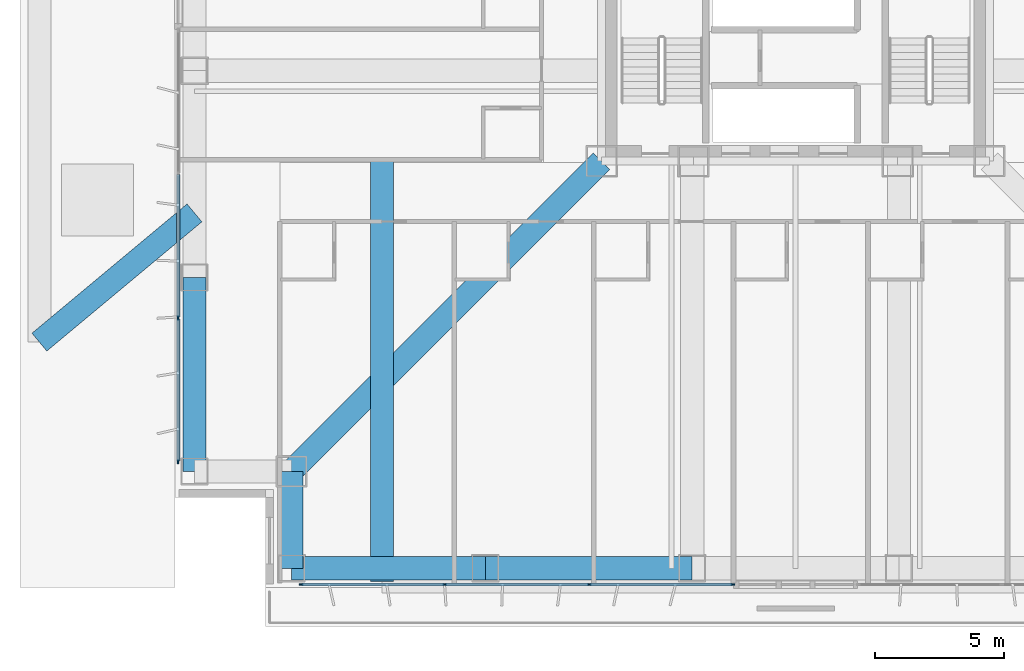
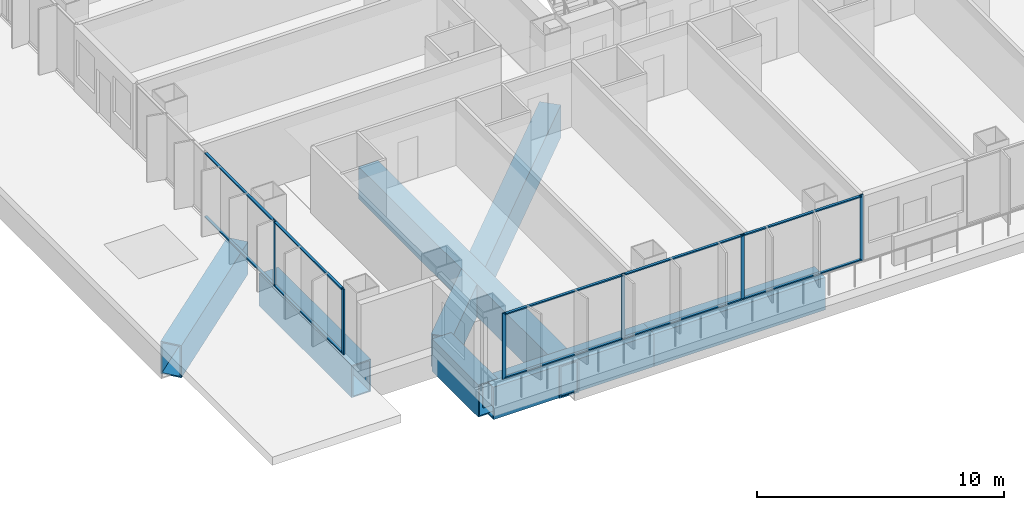
# One storey, part 2 of 24: 16 members, 7 beams, 2 elements without a shape of their own.
"""IFC4 building model written with IfcOpenShell, lengths in metres."""

from ifc_helpers import new_model, si_unit, direction, frame, origin, origin_2d, place, context, subcontext, project, spatial, rectangle, hollow_rectangle, extrude, material, layer, layer_set, material_profile, profile_set, type_object, element, aggregate, save


model = new_model("IFC4")

# Units and contexts
model_context = context("Model", 3, precision=1e-05, world=origin(), true_north=direction((0.0, 1.0)))
body_context = subcontext(model_context, "Body", "Model", "MODEL_VIEW")
ifc_project = project(units=[si_unit("LENGTHUNIT", "METRE"), si_unit("AREAUNIT", "SQUARE_METRE"), si_unit("VOLUMEUNIT", "CUBIC_METRE"), si_unit("PLANEANGLEUNIT", "RADIAN"), si_unit("MASSUNIT", "GRAM", prefix="KILO")], contexts=[model_context])

# Site, building, storey
site_placement = place(None, origin())
site = spatial("IfcSite", under=ifc_project, at=site_placement, CompositionType="ELEMENT")
building_placement = place(site_placement, origin())
building = spatial("IfcBuilding", under=site, at=building_placement, Name="Trevonay Congress Spire", CompositionType="ELEMENT")
storey_placement = place(building_placement, frame((0.0, 0.0, 27.0)))
storey = spatial("IfcBuildingStorey", under=building, at=storey_placement, Name="L05", CompositionType="ELEMENT", Elevation=27.0)

# Beams
ifc_material_1 = material(Name="Steel ASTM A572 Grade 50", Category="steel")
ifc_material_profile_1 = material_profile(ifc_material_1, hollow_rectangle(XDim=0.89990234375, YDim=1.60009765625, WallThickness=0.06005859375, at=origin_2d()), Name="BOX 1600x900x60")
ifc_profile_set_1 = profile_set([ifc_material_profile_1], Name="Steel ASTM A572 Grade 50")
beam_type_1 = type_object("IfcBeamType", Name="BM-RING-BOX1600", PredefinedType="BEAM", material=ifc_profile_set_1)
for number, where, z_axis, x_axis, name in (
    (1, (-19.5, -23.25, -1.199951171875), (1.0, 0.0, 0.0), (0.0, 1.0, 0.0), "L05 structural beam BM-L05-PS1"),
    (2, (-23.25, -19.5, -1.199951171875), (0.0, 1.0, 0.0), (-1.0, 0.0, 0.0), "L05 structural beam BM-L05-PW1"),
):
    element("IfcBeam", number, at=place(storey_placement, frame(where, z_axis=z_axis, x_axis=x_axis)), inside=storey, type_object=beam_type_1, Name=name, PredefinedType="BEAM", context=body_context, shape_type="SweptSolid", body=[
        extrude(hollow_rectangle(XDim=0.89990234375, YDim=1.60009765625, WallThickness=0.06005859375, at=origin_2d()), origin(), (0.0, 0.0, 1.0), 7.5),
    ])
beam_1_placement = place(storey_placement, frame((-12.0, -23.25, -1.199951171875), z_axis=(1.0, 0.0, 0.0), x_axis=(0.0, 1.0, 0.0)))
element("IfcBeam", 3, at=beam_1_placement, inside=storey, type_object=beam_type_1, Name="L05 structural beam BM-L05-PS2", PredefinedType="BEAM", context=body_context, shape_type="SweptSolid", body=[
    extrude(hollow_rectangle(XDim=0.89990234375, YDim=1.60009765625, WallThickness=0.06005859375, at=origin_2d()), origin(), (0.0, 0.0, 1.0), 8.0),
])
beam_2_placement = place(storey_placement, frame((-19.5, -23.25, -1.199951171875), z_axis=(0.0, 1.0, 0.0), x_axis=(-1.0, 0.0, 0.0)))
element("IfcBeam", 4, at=beam_2_placement, inside=storey, type_object=beam_type_1, Name="L05 structural beam BM-L05-N1SW", PredefinedType="BEAM", context=body_context, shape_type="SweptSolid", body=[
    extrude(hollow_rectangle(XDim=0.89990234375, YDim=1.60009765625, WallThickness=0.06005859375, at=origin_2d()), origin(), (0.0, 0.0, 1.0), 3.75),
])
ifc_material_profile_2 = material_profile(ifc_material_1, hollow_rectangle(XDim=0.89990234375, YDim=1.60009765625, WallThickness=0.06005859375, at=origin_2d()), Name="BOX 1600x900x60")
ifc_profile_set_2 = profile_set([ifc_material_profile_2], Name="Steel ASTM A572 Grade 50")
beam_type_2 = type_object("IfcBeamType", Name="BM-XFER-BOX1600", PredefinedType="BEAM", material=ifc_profile_set_2)
beam_3_placement = place(storey_placement, frame((-23.25, -9.5, -1.199951171875), z_axis=(-0.768221279597, -0.640184399664, 0.0), x_axis=(0.640184399664, -0.768221279597, 0.0)))
element("IfcBeam", 5, at=beam_3_placement, inside=storey, type_object=beam_type_2, Name="L05 structural beam BM-L05T-WT1", PredefinedType="BEAM", context=body_context, shape_type="SweptSolid", body=[
    extrude(hollow_rectangle(XDim=0.89990234375, YDim=1.60009765625, WallThickness=0.06005859375, at=origin_2d()), origin(), (0.0, 0.0, 1.0), 7.810302734375),
])
beam_4_placement = place(storey_placement, frame((-16.0, -7.5, -1.199951171875), z_axis=(0.0, -1.0, 0.0), x_axis=(1.0, 0.0, 0.0)))
element("IfcBeam", 6, at=beam_4_placement, inside=storey, type_object=beam_type_2, Name="L05 structural beam BM-L05T-ST1", PredefinedType="BEAM", context=body_context, shape_type="SweptSolid", body=[
    extrude(hollow_rectangle(XDim=0.89990234375, YDim=1.60009765625, WallThickness=0.06005859375, at=origin_2d()), origin(), (0.0, 0.0, 1.0), 16.25),
])
beam_5_placement = place(storey_placement, frame((-7.5, -7.5, -1.199951171875), z_axis=(-0.707106781187, -0.707106781187, 0.0), x_axis=(0.707106781187, -0.707106781187, 0.0)))
element("IfcBeam", 7, at=beam_5_placement, inside=storey, type_object=beam_type_2, Name="L05 structural beam BM-L05-CDSW", PredefinedType="BEAM", context=body_context, shape_type="SweptSolid", body=[
    extrude(hollow_rectangle(XDim=0.89990234375, YDim=1.60009765625, WallThickness=0.06005859375, at=origin_2d()), origin(), (0.0, 0.0, 1.0), 16.970458984375),
])

# Curtain wall, members
ifc_material_2 = material(Name="Pale Anodised Aluminium EN AW-6063-T6", Category="aluminium")
ifc_layer = layer(ifc_material_2, 0.179931640625, Name="Pale Anodised Aluminium EN AW-6063-T6")
ifc_layer_set = layer_set([ifc_layer], Name="Pale Anodised Aluminium EN AW-6063-T6")
curtain_wall_type = type_object("IfcCurtainWallType", Name="CW-SYS02-HOTEL-PALE-METAL", PredefinedType="NOTDEFINED", material=ifc_layer_set)
curtain_wall_1_placement = place(storey_placement, origin())
curtain_wall_1 = element("IfcCurtainWall", 8, at=curtain_wall_1_placement, inside=storey, type_object=curtain_wall_type, Name="L05 SA unitised curtain wall", PredefinedType="NOTDEFINED")
ifc_material_profile_3 = material_profile(ifc_material_2, rectangle(XDim=0.06005859375, YDim=0.159912109375, at=origin_2d()), Name="CW-MULLION-160-ALUMINIUM")
ifc_profile_set_3 = profile_set([ifc_material_profile_3], Name="Pale Anodised Aluminium EN AW-6063-T6")
member_type_1 = type_object("IfcMemberType", Name="CW-MULLION-160-ALUMINIUM", PredefinedType="MULLION", material=ifc_profile_set_3)
member_1_placement = place(storey_placement, frame((-19.1201171875, -23.8798828125, 0.0), z_axis=(0.0, 0.0, 1.0), x_axis=(0.0, 1.0, 0.0)))
member_1 = element("IfcMember", 9, at=member_1_placement, type_object=member_type_1, Name="CW02 mullion 1", PredefinedType="MULLION", context=body_context, shape_type="SweptSolid", body=[
    extrude(rectangle(XDim=0.06005859375, YDim=0.159912109375, at=origin_2d()), origin(), (0.0, 0.0, 1.0), 3.25),
])
member_2_placement = place(storey_placement, frame((-13.566650390625, -23.8798828125, 0.0), z_axis=(0.0, 0.0, 1.0), x_axis=(0.0, 1.0, 0.0)))
member_2 = element("IfcMember", 10, at=member_2_placement, type_object=member_type_1, Name="CW02 mullion 2", PredefinedType="MULLION", context=body_context, shape_type="SweptSolid", body=[
    extrude(rectangle(XDim=0.06005859375, YDim=0.159912109375, at=origin_2d()), origin(), (0.0, 0.0, 1.0), 3.25),
])
member_3_placement = place(storey_placement, frame((-7.9833984375, -23.8798828125, 0.0), z_axis=(0.0, 0.0, 1.0), x_axis=(0.0, 1.0, 0.0)))
member_3 = element("IfcMember", 11, at=member_3_placement, type_object=member_type_1, Name="CW02 mullion 3", PredefinedType="MULLION", context=body_context, shape_type="SweptSolid", body=[
    extrude(rectangle(XDim=0.06005859375, YDim=0.159912109375, at=origin_2d()), origin(), (0.0, 0.0, 1.0), 3.25),
])
member_4_placement = place(storey_placement, frame((-2.429931640625, -23.8798828125, 0.0), z_axis=(0.0, 0.0, 1.0), x_axis=(0.0, 1.0, 0.0)))
member_4 = element("IfcMember", 12, at=member_4_placement, type_object=member_type_1, Name="CW02 mullion 4", PredefinedType="MULLION", context=body_context, shape_type="SweptSolid", body=[
    extrude(rectangle(XDim=0.06005859375, YDim=0.159912109375, at=origin_2d()), origin(), (0.0, 0.0, 1.0), 3.25),
])

curtain_wall_2_placement = place(storey_placement, origin())
curtain_wall_2 = element("IfcCurtainWall", 13, at=curtain_wall_2_placement, inside=storey, type_object=curtain_wall_type, Name="L05 WA unitised curtain wall", PredefinedType="NOTDEFINED")
member_5_placement = place(storey_placement, frame((-23.8798828125, -19.1201171875, 0.0), z_axis=(0.0, 0.0, 1.0), x_axis=(-1.0, 0.0, 0.0)))
member_5 = element("IfcMember", 14, at=member_5_placement, type_object=member_type_1, Name="CW02 mullion 1", PredefinedType="MULLION", context=body_context, shape_type="SweptSolid", body=[
    extrude(rectangle(XDim=0.06005859375, YDim=0.159912109375, at=origin_2d()), origin(), (0.0, 0.0, 1.0), 3.25),
])
member_6_placement = place(storey_placement, frame((-23.8798828125, -13.566650390625, 0.0), z_axis=(0.0, 0.0, 1.0), x_axis=(-1.0, 0.0, 0.0)))
member_6 = element("IfcMember", 15, at=member_6_placement, type_object=member_type_1, Name="CW02 mullion 2", PredefinedType="MULLION", context=body_context, shape_type="SweptSolid", body=[
    extrude(rectangle(XDim=0.06005859375, YDim=0.159912109375, at=origin_2d()), origin(), (0.0, 0.0, 1.0), 3.25),
])

# Member
ifc_material_profile_4 = material_profile(ifc_material_2, rectangle(XDim=0.1201171875, YDim=0.06005859375, at=origin_2d()), Name="CW-TRANSOM-120-ALUMINIUM")
ifc_profile_set_4 = profile_set([ifc_material_profile_4], Name="Pale Anodised Aluminium EN AW-6063-T6")
member_type_2 = type_object("IfcMemberType", Name="CW-TRANSOM-120-ALUMINIUM", PredefinedType="USERDEFINED", material=ifc_profile_set_4)
member_7_placement = place(storey_placement, frame((-19.090087890625, -23.8798828125, 0.06005859375), z_axis=(1.0, 0.0, 0.0), x_axis=(0.0, 1.0, 0.0)))
member_7 = element("IfcMember", 16, at=member_7_placement, type_object=member_type_2, Name="CW02 transom 1.1", ObjectType="TRANSOM", PredefinedType="USERDEFINED", context=body_context, shape_type="SweptSolid", body=[
    extrude(rectangle(XDim=0.1201171875, YDim=0.06005859375, at=origin_2d()), origin(), (0.0, 0.0, 1.0), 5.493408203125),
])

member_8_placement = place(storey_placement, frame((-19.090087890625, -23.8798828125, 3.18994140625), z_axis=(1.0, 0.0, 0.0), x_axis=(0.0, 1.0, 0.0)))
member_8 = element("IfcMember", 17, at=member_8_placement, type_object=member_type_2, Name="CW02 transom 1.2", ObjectType="TRANSOM", PredefinedType="USERDEFINED", context=body_context, shape_type="SweptSolid", body=[
    extrude(rectangle(XDim=0.1201171875, YDim=0.06005859375, at=origin_2d()), origin(), (0.0, 0.0, 1.0), 5.493408203125),
])

member_9_placement = place(storey_placement, frame((-13.53662109375, -23.8798828125, 0.06005859375), z_axis=(1.0, 0.0, 0.0), x_axis=(0.0, 1.0, 0.0)))
member_9 = element("IfcMember", 18, at=member_9_placement, type_object=member_type_2, Name="CW02 transom 2.1", ObjectType="TRANSOM", PredefinedType="USERDEFINED", context=body_context, shape_type="SweptSolid", body=[
    extrude(rectangle(XDim=0.1201171875, YDim=0.06005859375, at=origin_2d()), origin(), (0.0, 0.0, 1.0), 5.523193359375),
])

member_10_placement = place(storey_placement, frame((-13.53662109375, -23.8798828125, 3.18994140625), z_axis=(1.0, 0.0, 0.0), x_axis=(0.0, 1.0, 0.0)))
member_10 = element("IfcMember", 19, at=member_10_placement, type_object=member_type_2, Name="CW02 transom 2.2", ObjectType="TRANSOM", PredefinedType="USERDEFINED", context=body_context, shape_type="SweptSolid", body=[
    extrude(rectangle(XDim=0.1201171875, YDim=0.06005859375, at=origin_2d()), origin(), (0.0, 0.0, 1.0), 5.523193359375),
])

member_11_placement = place(storey_placement, frame((-7.953369140625, -23.8798828125, 0.06005859375), z_axis=(1.0, 0.0, 0.0), x_axis=(0.0, 1.0, 0.0)))
member_11 = element("IfcMember", 20, at=member_11_placement, type_object=member_type_2, Name="CW02 transom 3.1", ObjectType="TRANSOM", PredefinedType="USERDEFINED", context=body_context, shape_type="SweptSolid", body=[
    extrude(rectangle(XDim=0.1201171875, YDim=0.06005859375, at=origin_2d()), origin(), (0.0, 0.0, 1.0), 5.493408203125),
])

member_12_placement = place(storey_placement, frame((-7.953369140625, -23.8798828125, 3.18994140625), z_axis=(1.0, 0.0, 0.0), x_axis=(0.0, 1.0, 0.0)))
member_12 = element("IfcMember", 21, at=member_12_placement, type_object=member_type_2, Name="CW02 transom 3.2", ObjectType="TRANSOM", PredefinedType="USERDEFINED", context=body_context, shape_type="SweptSolid", body=[
    extrude(rectangle(XDim=0.1201171875, YDim=0.06005859375, at=origin_2d()), origin(), (0.0, 0.0, 1.0), 5.493408203125),
])

aggregate(curtain_wall_1, [member_1, member_2, member_3, member_4, member_7, member_8, member_9, member_10, member_11, member_12])

member_13_placement = place(storey_placement, frame((-23.8798828125, -19.090087890625, 0.06005859375), z_axis=(0.0, 1.0, 0.0), x_axis=(-1.0, 0.0, 0.0)))
member_13 = element("IfcMember", 22, at=member_13_placement, type_object=member_type_2, Name="CW02 transom 1.1", ObjectType="TRANSOM", PredefinedType="USERDEFINED", context=body_context, shape_type="SweptSolid", body=[
    extrude(rectangle(XDim=0.1201171875, YDim=0.06005859375, at=origin_2d()), origin(), (0.0, 0.0, 1.0), 5.493408203125),
])

member_14_placement = place(storey_placement, frame((-23.8798828125, -19.090087890625, 3.18994140625), z_axis=(0.0, 1.0, 0.0), x_axis=(-1.0, 0.0, 0.0)))
member_14 = element("IfcMember", 23, at=member_14_placement, type_object=member_type_2, Name="CW02 transom 1.2", ObjectType="TRANSOM", PredefinedType="USERDEFINED", context=body_context, shape_type="SweptSolid", body=[
    extrude(rectangle(XDim=0.1201171875, YDim=0.06005859375, at=origin_2d()), origin(), (0.0, 0.0, 1.0), 5.493408203125),
])

member_15_placement = place(storey_placement, frame((-23.8798828125, -13.53662109375, 0.06005859375), z_axis=(0.0, 1.0, 0.0), x_axis=(-1.0, 0.0, 0.0)))
member_15 = element("IfcMember", 24, at=member_15_placement, type_object=member_type_2, Name="CW02 transom 2.1", ObjectType="TRANSOM", PredefinedType="USERDEFINED", context=body_context, shape_type="SweptSolid", body=[
    extrude(rectangle(XDim=0.1201171875, YDim=0.06005859375, at=origin_2d()), origin(), (0.0, 0.0, 1.0), 5.523193359375),
])

member_16_placement = place(storey_placement, frame((-23.8798828125, -13.53662109375, 3.18994140625), z_axis=(0.0, 1.0, 0.0), x_axis=(-1.0, 0.0, 0.0)))
member_16 = element("IfcMember", 25, at=member_16_placement, type_object=member_type_2, Name="CW02 transom 2.2", ObjectType="TRANSOM", PredefinedType="USERDEFINED", context=body_context, shape_type="SweptSolid", body=[
    extrude(rectangle(XDim=0.1201171875, YDim=0.06005859375, at=origin_2d()), origin(), (0.0, 0.0, 1.0), 5.523193359375),
])

aggregate(curtain_wall_2, [member_5, member_6, member_13, member_14, member_15, member_16])

save(model, "model.ifc")
